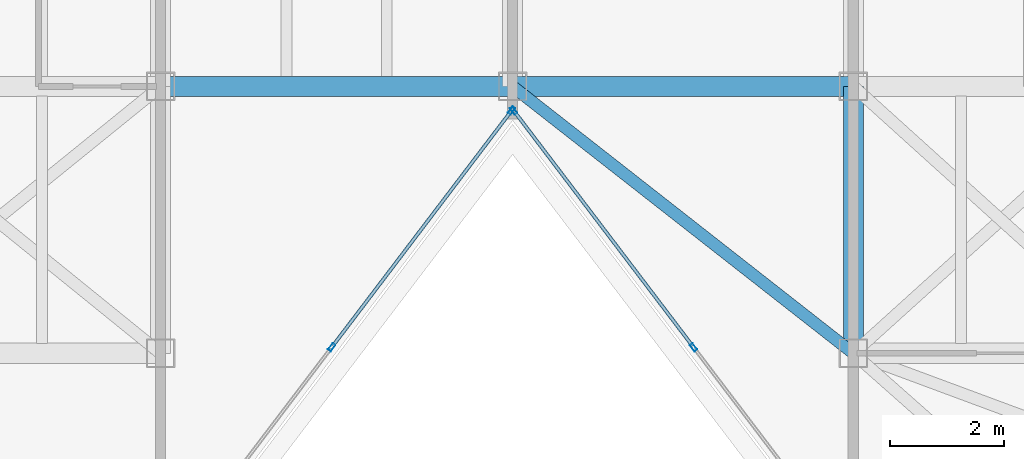
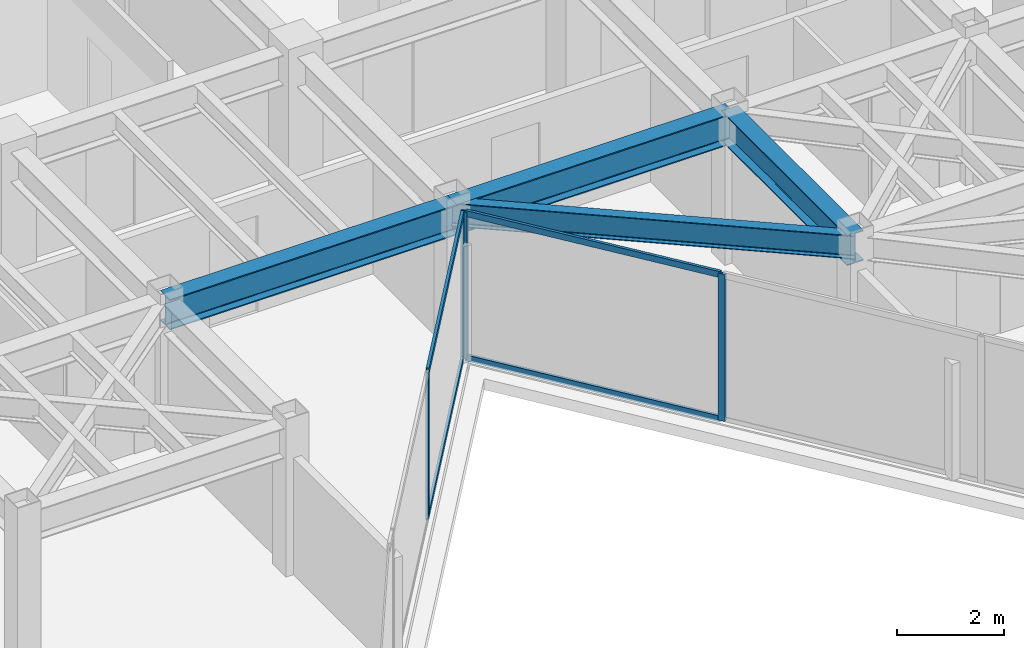
# One storey, part 6 of 17: 8 members, 4 beams, 2 elements without a shape of their own.
"""IFC4 building model written with IfcOpenShell, lengths in metres."""

from ifc_helpers import new_model, si_unit, direction, frame, origin, origin_2d, place, context, subcontext, project, spatial, hollow_rectangle, i_section, extrude, material, layer, layer_set, material_profile, profile_set, type_object, element, aggregate, save


model = new_model("IFC4")

# Units and contexts
model_context = context("Model", 3, precision=1e-05, world=origin(), true_north=direction((0.0, 1.0)))
body_context = subcontext(model_context, "Body", "Model", "MODEL_VIEW")
ifc_project = project(units=[si_unit("LENGTHUNIT", "METRE"), si_unit("AREAUNIT", "SQUARE_METRE"), si_unit("VOLUMEUNIT", "CUBIC_METRE"), si_unit("PLANEANGLEUNIT", "RADIAN"), si_unit("MASSUNIT", "GRAM", prefix="KILO")], contexts=[model_context])

# Site, building, storey
site_placement = place(None, origin())
site = spatial("IfcSite", under=ifc_project, at=site_placement, CompositionType="ELEMENT")
building_placement = place(site_placement, origin())
building = spatial("IfcBuilding", under=site, at=building_placement, Name="Kravanh Interchange Tower", CompositionType="ELEMENT")
storey_placement = place(building_placement, frame((0.0, 0.0, 263.39990234375)))
storey = spatial("IfcBuildingStorey", under=building, at=storey_placement, Name="L64", CompositionType="ELEMENT", Elevation=263.39990234375)

# Curtain wall, members
ifc_material_1 = material(Name="Anodised Bronze Aluminium", Category="aluminium")
ifc_layer = layer(ifc_material_1, 0.179931640625)
ifc_layer_set = layer_set([ifc_layer], Name="Unitised Curtain Wall System CW-HTL Luxury Hotel")
curtain_wall_type = type_object("IfcCurtainWallType", Name="Unitised Curtain Wall System CW-HTL Luxury Hotel", PredefinedType="NOTDEFINED", material=ifc_layer_set)
curtain_wall_1_placement = place(storey_placement, origin())
curtain_wall_1 = element("IfcCurtainWall", 1, at=curtain_wall_1_placement, inside=storey, type_object=curtain_wall_type, Name="L64 Unitised Curtain Wall CW-L64-04", PredefinedType="NOTDEFINED")
ifc_material_2 = material(Name="Anodised Bronze Aluminium", Category="aluminium")
ifc_material_profile_1 = material_profile(ifc_material_2, hollow_rectangle(XDim=0.06005859375, YDim=0.139892578125, WallThickness=0.00390625, at=origin_2d()), Name="ALU60X140X4")
ifc_profile_set_1 = profile_set([ifc_material_profile_1], Name="Anodised Bronze Aluminium")
member_type_1 = type_object("IfcMemberType", Name="Curtain Wall Mullion ALU60X140X4 Bronze", PredefinedType="MULLION", material=ifc_profile_set_1)
member_1_placement = place(storey_placement, frame((47.986572265625, 26.905517578125, 0.0), z_axis=(0.0, 0.0, 1.0), x_axis=(-0.79616243806, -0.605082946564, 0.0)))
member_1 = element("IfcMember", 2, at=member_1_placement, type_object=member_type_1, Name="CW-HTL mullion 3", PredefinedType="MULLION", context=body_context, shape_type="SweptSolid", body=[
    extrude(hollow_rectangle(XDim=0.06005859375, YDim=0.139892578125, WallThickness=0.00390625, at=origin_2d()), origin(), (0.0, 0.0, 1.0), 3.360107421875),
])
member_2_placement = place(storey_placement, frame((44.818115234375, 31.074462890625, 0.0), z_axis=(0.0, 0.0, 1.0), x_axis=(-0.79616243806, -0.605082946564, 0.0)))
member_2 = element("IfcMember", 3, at=member_2_placement, type_object=member_type_1, Name="CW-HTL mullion 4", PredefinedType="MULLION", context=body_context, shape_type="SweptSolid", body=[
    extrude(hollow_rectangle(XDim=0.06005859375, YDim=0.139892578125, WallThickness=0.00390625, at=origin_2d()), origin(), (0.0, 0.0, 1.0), 3.360107421875),
])

curtain_wall_2_placement = place(storey_placement, origin())
curtain_wall_2 = element("IfcCurtainWall", 4, at=curtain_wall_2_placement, inside=storey, type_object=curtain_wall_type, Name="L64 Unitised Curtain Wall CW-L64-05", PredefinedType="NOTDEFINED")
member_3_placement = place(storey_placement, frame((44.78173828125, 31.074462890625, 0.0), z_axis=(0.0, 0.0, 1.0), x_axis=(0.79616243806, -0.605082946564, 0.0)))
member_3 = element("IfcMember", 5, at=member_3_placement, type_object=member_type_1, Name="CW-HTL mullion 1", PredefinedType="MULLION", context=body_context, shape_type="SweptSolid", body=[
    extrude(hollow_rectangle(XDim=0.06005859375, YDim=0.139892578125, WallThickness=0.00390625, at=origin_2d()), origin(), (0.0, 0.0, 1.0), 3.360107421875),
])
member_4_placement = place(storey_placement, frame((41.613525390625, 26.905517578125, 0.0), z_axis=(0.0, 0.0, 1.0), x_axis=(0.79616243806, -0.605082946564, 0.0)))
member_4 = element("IfcMember", 6, at=member_4_placement, type_object=member_type_1, Name="CW-HTL mullion 2", PredefinedType="MULLION", context=body_context, shape_type="SweptSolid", body=[
    extrude(hollow_rectangle(XDim=0.06005859375, YDim=0.139892578125, WallThickness=0.00390625, at=origin_2d()), origin(), (0.0, 0.0, 1.0), 3.360107421875),
])

# Member
ifc_material_3 = material(Name="Anodised Bronze Aluminium", Category="aluminium")
ifc_material_profile_2 = material_profile(ifc_material_3, hollow_rectangle(XDim=0.06005859375, YDim=0.139892578125, WallThickness=0.00390625, at=origin_2d()), Name="ALU60X140X4")
ifc_profile_set_2 = profile_set([ifc_material_profile_2], Name="Anodised Bronze Aluminium")
member_type_2 = type_object("IfcMemberType", Name="Curtain Wall Transom ALU60X140X4 Bronze", PredefinedType="USERDEFINED", material=ifc_profile_set_2)
member_5_placement = place(storey_placement, frame((47.96826171875, 26.929443359375, 0.030029296875), z_axis=(-0.605059348861, 0.796180371747, 0.0), x_axis=(-0.796180371747, -0.605059348861, 0.0)))
member_5 = element("IfcMember", 7, at=member_5_placement, type_object=member_type_2, Name="CW-HTL transom 3.1", ObjectType="TRANSOM", PredefinedType="USERDEFINED", context=body_context, shape_type="SweptSolid", body=[
    extrude(hollow_rectangle(XDim=0.06005859375, YDim=0.139892578125, WallThickness=0.00390625, at=origin_2d()), origin(), (0.0, 0.0, 1.0), 5.176025390625),
])

member_6_placement = place(storey_placement, frame((47.96826171875, 26.929443359375, 3.330078125), z_axis=(-0.605059348861, 0.796180371747, 0.0), x_axis=(-0.796180371747, -0.605059348861, 0.0)))
member_6 = element("IfcMember", 8, at=member_6_placement, type_object=member_type_2, Name="CW-HTL transom 3.2", ObjectType="TRANSOM", PredefinedType="USERDEFINED", context=body_context, shape_type="SweptSolid", body=[
    extrude(hollow_rectangle(XDim=0.06005859375, YDim=0.139892578125, WallThickness=0.00390625, at=origin_2d()), origin(), (0.0, 0.0, 1.0), 5.176025390625),
])

aggregate(curtain_wall_1, [member_1, member_2, member_5, member_6])

member_7_placement = place(storey_placement, frame((44.763671875, 31.050537109375, 0.030029296875), z_axis=(-0.605089246946, -0.796157649734, 0.0), x_axis=(0.796157649734, -0.605089246946, 0.0)))
member_7 = element("IfcMember", 9, at=member_7_placement, type_object=member_type_2, Name="CW-HTL transom 1.1", ObjectType="TRANSOM", PredefinedType="USERDEFINED", context=body_context, shape_type="SweptSolid", body=[
    extrude(hollow_rectangle(XDim=0.06005859375, YDim=0.139892578125, WallThickness=0.00390625, at=origin_2d()), origin(), (0.0, 0.0, 1.0), 5.17626953125),
])

member_8_placement = place(storey_placement, frame((44.763671875, 31.050537109375, 3.330078125), z_axis=(-0.605089246946, -0.796157649734, 0.0), x_axis=(0.796157649734, -0.605089246946, 0.0)))
member_8 = element("IfcMember", 10, at=member_8_placement, type_object=member_type_2, Name="CW-HTL transom 1.2", ObjectType="TRANSOM", PredefinedType="USERDEFINED", context=body_context, shape_type="SweptSolid", body=[
    extrude(hollow_rectangle(XDim=0.06005859375, YDim=0.139892578125, WallThickness=0.00390625, at=origin_2d()), origin(), (0.0, 0.0, 1.0), 5.17626953125),
])

aggregate(curtain_wall_2, [member_3, member_4, member_7, member_8])

# Beams
ifc_material_4 = material(Name="Structural Steel S355", Category="steel")
ifc_material_profile_3 = material_profile(ifc_material_4, i_section(OverallWidth=0.35498046875, OverallDepth=0.696044921875, WebThickness=0.015380859375, FlangeThickness=0.02490234375, FilletRadius=0.02392578125, at=origin_2d()), Name="W27X146")
ifc_profile_set_3 = profile_set([ifc_material_profile_3], Name="Structural Steel S355")
beam_type_1 = type_object("IfcBeamType", Name="Floor Beam W27X146 Structural Steel S355", PredefinedType="BEAM", material=ifc_profile_set_3)
beam_1_placement = place(storey_placement, frame((44.800048828125, 31.5, 3.01220703125), z_axis=(1.0, 0.0, 0.0), x_axis=(0.0, 1.0, 0.0)))
element("IfcBeam", 11, at=beam_1_placement, inside=storey, type_object=beam_type_1, Name="L64 Primary Floor Girder 2", PredefinedType="BEAM", context=body_context, shape_type="SweptSolid", body=[
    extrude(i_section(OverallWidth=0.35498046875, OverallDepth=0.696044921875, WebThickness=0.015380859375, FlangeThickness=0.02490234375, FilletRadius=0.02392578125, at=origin_2d()), origin(), (0.0, 0.0, 1.0), 6.0),
])
beam_2_placement = place(storey_placement, frame((44.800048828125, 31.5, 3.01220703125), z_axis=(-1.0, 0.0, 0.0), x_axis=(0.0, -1.0, 0.0)))
element("IfcBeam", 12, at=beam_2_placement, inside=storey, type_object=beam_type_1, Name="L64 Primary Floor Girder 3", PredefinedType="BEAM", context=body_context, shape_type="SweptSolid", body=[
    extrude(i_section(OverallWidth=0.35498046875, OverallDepth=0.696044921875, WebThickness=0.015380859375, FlangeThickness=0.02490234375, FilletRadius=0.02392578125, at=origin_2d()), origin(), (0.0, 0.0, 1.0), 6.199951171875),
])
beam_3_placement = place(storey_placement, frame((50.800048828125, 31.5, 3.01220703125), z_axis=(0.0, -1.0, 0.0), x_axis=(1.0, 0.0, 0.0)))
element("IfcBeam", 13, at=beam_3_placement, inside=storey, type_object=beam_type_1, Name="L64 Primary Floor Girder 5", PredefinedType="BEAM", context=body_context, shape_type="SweptSolid", body=[
    extrude(i_section(OverallWidth=0.35498046875, OverallDepth=0.696044921875, WebThickness=0.015380859375, FlangeThickness=0.02490234375, FilletRadius=0.02392578125, at=origin_2d()), origin(), (0.0, 0.0, 1.0), 4.699951171875),
])
ifc_material_5 = material(Name="Structural Steel S355", Category="steel")
ifc_material_profile_4 = material_profile(ifc_material_5, i_section(OverallWidth=0.2099609375, OverallDepth=0.537109375, WebThickness=0.010986328125, FlangeThickness=0.017333984375, FilletRadius=0.02001953125, at=origin_2d()), Name="W21X68")
ifc_profile_set_4 = profile_set([ifc_material_profile_4], Name="Structural Steel S355")
beam_type_2 = type_object("IfcBeamType", Name="Floor Spandrel W21X68 Structural Steel S355", PredefinedType="SPANDREL", material=ifc_profile_set_4)
beam_4_placement = place(storey_placement, frame((44.800048828125, 31.5, 3.091552734375), z_axis=(0.787231163579, -0.616658004967, 0.0), x_axis=(0.616658004967, 0.787231163579, 0.0)))
element("IfcBeam", 14, at=beam_4_placement, inside=storey, type_object=beam_type_2, Name="L64 Perimeter Spandrel 4", PredefinedType="SPANDREL", context=body_context, shape_type="SweptSolid", body=[
    extrude(i_section(OverallWidth=0.2099609375, OverallDepth=0.537109375, WebThickness=0.010986328125, FlangeThickness=0.017333984375, FilletRadius=0.02001953125, at=origin_2d()), origin(), (0.0, 0.0, 1.0), 7.62158203125),
])

save(model, "model.ifc")
